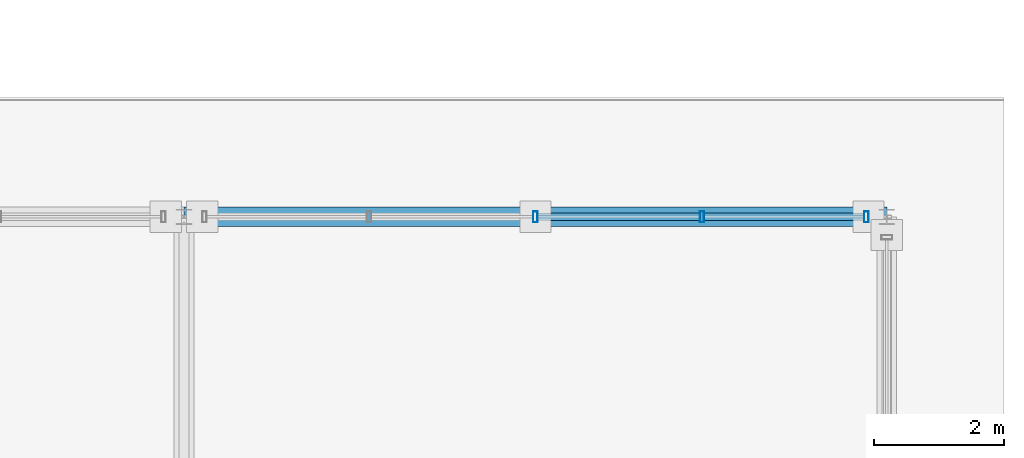
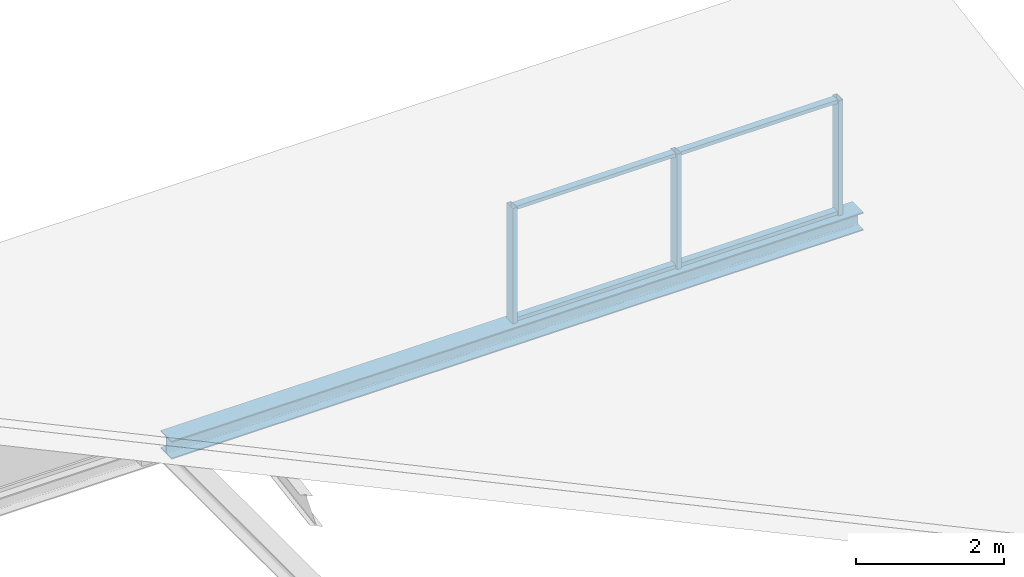
# One storey, part 91 of 117: 7 members, 1 beam, 1 element without a shape of its own.
"""IFC4 building model written with IfcOpenShell, lengths in metres."""

from ifc_helpers import new_model, si_unit, direction, frame, origin, origin_2d, place, context, subcontext, project, spatial, hollow_rectangle, i_section, extrude, material, material_profile, profile_set, type_object, element, aggregate, save


model = new_model("IFC4")

# Units and contexts
model_context = context("Model", 3, precision=1e-05, world=origin(), true_north=direction((0.0, 1.0)))
body_context = subcontext(model_context, "Body", "Model", "MODEL_VIEW")
ifc_project = project(units=[si_unit("LENGTHUNIT", "METRE"), si_unit("AREAUNIT", "SQUARE_METRE"), si_unit("VOLUMEUNIT", "CUBIC_METRE"), si_unit("PLANEANGLEUNIT", "RADIAN"), si_unit("MASSUNIT", "GRAM", prefix="KILO")], contexts=[model_context])

# Site, building, storey
site_placement = place(None, origin())
site = spatial("IfcSite", under=ifc_project, at=site_placement, CompositionType="ELEMENT")
building_placement = place(site_placement, origin())
building = spatial("IfcBuilding", under=site, at=building_placement, Name="Merenkruunu Market Hall", CompositionType="ELEMENT")
storey_placement = place(building_placement, frame((0.0, 0.0, 10.199951171875)))
storey = spatial("IfcBuildingStorey", under=building, at=storey_placement, Name="L02", CompositionType="ELEMENT", Elevation=10.199951171875)

# Curtain wall, members
ifc_material_1 = material(Name="Powder-coated aluminium", Category="aluminium")
curtain_wall_type = type_object("IfcCurtainWallType", Name="Clerestory Curtain Band CL01", PredefinedType="USERDEFINED", material=ifc_material_1)
curtain_wall_placement = place(storey_placement, origin())
curtain_wall = element("IfcCurtainWall", 1, at=curtain_wall_placement, inside=storey, type_object=curtain_wall_type, Name="CW-L02-CWM04-231", ObjectType="CLERESTORY_BAND", PredefinedType="USERDEFINED")
ifc_material_profile_1 = material_profile(ifc_material_1, hollow_rectangle(XDim=0.070068359375, YDim=0.169921875, WallThickness=0.0048828125, at=origin_2d()), Name="ALU 70x170x5")
ifc_profile_set_1 = profile_set([ifc_material_profile_1], Name="Powder-coated aluminium")
member_type_1 = type_object("IfcMemberType", Name="Curtain Wall Mullion CWM04", PredefinedType="MULLION", material=ifc_profile_set_1)
member_1_placement = place(storey_placement, frame((186.60009765625, 63.60009765625, 0.02001953125), z_axis=(0.0, 0.0, 1.0), x_axis=(1.0, 0.0, 0.0)))
member_1 = element("IfcMember", 2, at=member_1_placement, type_object=member_type_1, Name="CL01 mullion 3", PredefinedType="MULLION", context=body_context, shape_type="SweptSolid", body=[
    extrude(hollow_rectangle(XDim=0.070068359375, YDim=0.169921875, WallThickness=0.0048828125, at=origin_2d()), origin(), (0.0, 0.0, 1.0), 1.900146484375),
])
member_2_placement = place(storey_placement, frame((189.159912109375, 63.60009765625, 0.02001953125), z_axis=(0.0, 0.0, 1.0), x_axis=(1.0, 0.0, 0.0)))
member_2 = element("IfcMember", 3, at=member_2_placement, type_object=member_type_1, Name="CL01 mullion 4", PredefinedType="MULLION", context=body_context, shape_type="SweptSolid", body=[
    extrude(hollow_rectangle(XDim=0.070068359375, YDim=0.169921875, WallThickness=0.0048828125, at=origin_2d()), origin(), (0.0, 0.0, 1.0), 1.900146484375),
])
member_3_placement = place(storey_placement, frame((191.68505859375, 63.60009765625, 0.02001953125), z_axis=(0.0, 0.0, 1.0), x_axis=(1.0, 0.0, 0.0)))
member_3 = element("IfcMember", 4, at=member_3_placement, type_object=member_type_1, Name="CL01 mullion 5", PredefinedType="MULLION", context=body_context, shape_type="SweptSolid", body=[
    extrude(hollow_rectangle(XDim=0.070068359375, YDim=0.169921875, WallThickness=0.0048828125, at=origin_2d()), origin(), (0.0, 0.0, 1.0), 1.900146484375),
])
ifc_material_profile_2 = material_profile(ifc_material_1, hollow_rectangle(XDim=0.06005859375, YDim=0.110107421875, WallThickness=0.00390625, at=origin_2d()), Name="ALU 60x110x4")
ifc_profile_set_2 = profile_set([ifc_material_profile_2], Name="Powder-coated aluminium")
member_type_2 = type_object("IfcMemberType", Name="Curtain Wall Transom CWT03", PredefinedType="USERDEFINED", material=ifc_profile_set_2)
member_4_placement = place(storey_placement, frame((186.635009765625, 63.60009765625, 0.050048828125), z_axis=(1.0, 0.0, 0.0), x_axis=(0.0, 0.0, 1.0)))
member_4 = element("IfcMember", 5, at=member_4_placement, type_object=member_type_2, Name="CL01 transom 3.1", ObjectType="TRANSOM", PredefinedType="USERDEFINED", context=body_context, shape_type="SweptSolid", body=[
    extrude(hollow_rectangle(XDim=0.06005859375, YDim=0.110107421875, WallThickness=0.00390625, at=origin_2d()), origin(), (0.0, 0.0, 1.0), 2.489990234375),
])
member_5_placement = place(storey_placement, frame((186.635009765625, 63.60009765625, 1.89013671875), z_axis=(1.0, 0.0, 0.0), x_axis=(0.0, 0.0, 1.0)))
member_5 = element("IfcMember", 6, at=member_5_placement, type_object=member_type_2, Name="CL01 transom 3.2", ObjectType="TRANSOM", PredefinedType="USERDEFINED", context=body_context, shape_type="SweptSolid", body=[
    extrude(hollow_rectangle(XDim=0.06005859375, YDim=0.110107421875, WallThickness=0.00390625, at=origin_2d()), origin(), (0.0, 0.0, 1.0), 2.489990234375),
])
member_6_placement = place(storey_placement, frame((189.195068359375, 63.60009765625, 0.050048828125), z_axis=(1.0, 0.0, 0.0), x_axis=(0.0, 0.0, 1.0)))
member_6 = element("IfcMember", 7, at=member_6_placement, type_object=member_type_2, Name="CL01 transom 4.1", ObjectType="TRANSOM", PredefinedType="USERDEFINED", context=body_context, shape_type="SweptSolid", body=[
    extrude(hollow_rectangle(XDim=0.06005859375, YDim=0.110107421875, WallThickness=0.00390625, at=origin_2d()), origin(), (0.0, 0.0, 1.0), 2.454833984375),
])
member_7_placement = place(storey_placement, frame((189.195068359375, 63.60009765625, 1.89013671875), z_axis=(1.0, 0.0, 0.0), x_axis=(0.0, 0.0, 1.0)))
member_7 = element("IfcMember", 8, at=member_7_placement, type_object=member_type_2, Name="CL01 transom 4.2", ObjectType="TRANSOM", PredefinedType="USERDEFINED", context=body_context, shape_type="SweptSolid", body=[
    extrude(hollow_rectangle(XDim=0.06005859375, YDim=0.110107421875, WallThickness=0.00390625, at=origin_2d()), origin(), (0.0, 0.0, 1.0), 2.454833984375),
])
aggregate(curtain_wall, [member_1, member_2, member_3, member_4, member_5, member_6, member_7])

# Beam
ifc_material_2 = material(Name="Steel S355J2", Category="steel")
ifc_material_profile_3 = material_profile(ifc_material_2, i_section(OverallWidth=0.300048828125, OverallDepth=0.300048828125, WebThickness=0.010986328125, FlangeThickness=0.01904296875, FilletRadius=0.027099609375, at=origin_2d()), Name="HEB 300")
ifc_profile_set_3 = profile_set([ifc_material_profile_3], Name="Steel S355J2")
beam_type = type_object("IfcBeamType", Name="Primary Floor Girder B05", PredefinedType="BEAM", material=ifc_profile_set_3)
beam_placement = place(storey_placement, frame((181.199951171875, 63.60009765625, -0.14990234375), z_axis=(1.0, 0.0, 0.0), x_axis=(0.0, 1.0, 0.0)))
element("IfcBeam", 9, at=beam_placement, inside=storey, type_object=beam_type, Name="BM-L02-B05-1053", PredefinedType="BEAM", context=body_context, shape_type="SweptSolid", body=[
    extrude(i_section(OverallWidth=0.300048828125, OverallDepth=0.300048828125, WebThickness=0.010986328125, FlangeThickness=0.01904296875, FilletRadius=0.027099609375, at=origin_2d()), origin(), (0.0, 0.0, 1.0), 10.800048828125),
])

save(model, "model.ifc")
